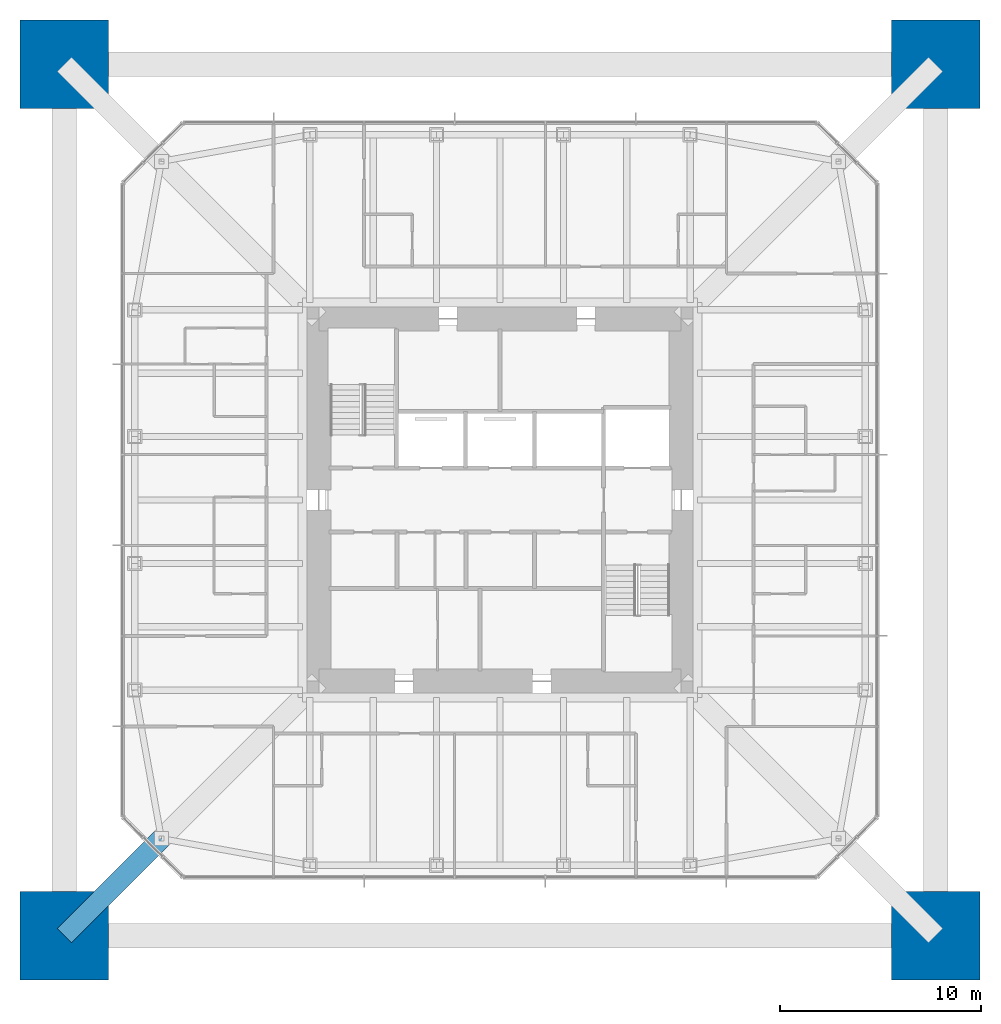
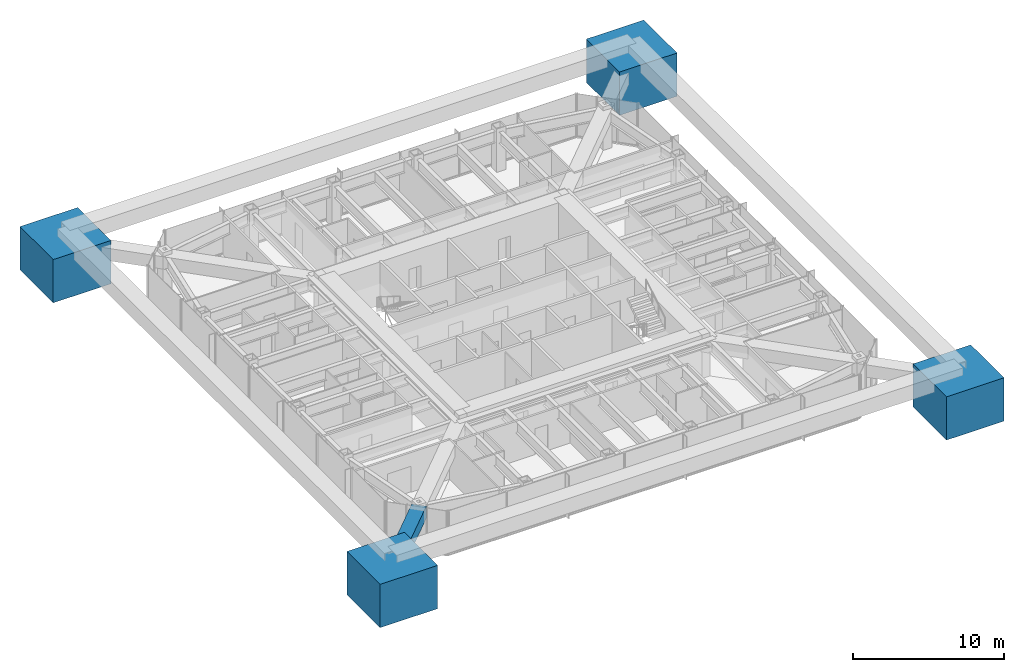
# One storey, part 1 of 15: 4 columns, 1 member.
"""IFC4 building model written with IfcOpenShell, lengths in metres."""

from ifc_helpers import new_model, si_unit, direction, frame, origin, origin_2d, place, context, subcontext, project, spatial, rectangle, hollow_rectangle, i_section, extrude, material, material_profile, profile_set, type_object, element, save


model = new_model("IFC4")

# Units and contexts
model_context = context("Model", 3, precision=1e-05, world=origin(), true_north=direction((0.0, 1.0)))
body_context = subcontext(model_context, "Body", "Model", "MODEL_VIEW")
ifc_project = project(units=[si_unit("LENGTHUNIT", "METRE"), si_unit("AREAUNIT", "SQUARE_METRE"), si_unit("VOLUMEUNIT", "CUBIC_METRE"), si_unit("PLANEANGLEUNIT", "RADIAN"), si_unit("MASSUNIT", "GRAM", prefix="KILO")], contexts=[model_context])

# Site, building, storey
site_placement = place(None, origin())
site = spatial("IfcSite", under=ifc_project, at=site_placement, CompositionType="ELEMENT")
building_placement = place(site_placement, origin())
building = spatial("IfcBuilding", under=site, at=building_placement, Name="Iwan Alto Co-Living Towers", CompositionType="ELEMENT")
storey_placement = place(building_placement, frame((0.0, 0.0, 205.5)))
storey = spatial("IfcBuildingStorey", under=building, at=storey_placement, Name="L56", CompositionType="ELEMENT", Elevation=205.5)

# Columns
ifc_material_1 = material(Name="Concrete f'c 70 MPa", Category="concrete")
ifc_material_profile_1 = material_profile(ifc_material_1, rectangle(XDim=4.39990234375, YDim=4.39990234375, at=origin_2d()), Name="RC 4400X4400")
ifc_profile_set_1 = profile_set([ifc_material_profile_1], Name="Concrete f'c 70 MPa")
column_type = type_object("IfcColumnType", Name="T1 MEGA COLUMN RC 4400X4400", PredefinedType="COLUMN", material=ifc_profile_set_1)
for number, where, z_axis, x_axis, name in (
    (1, (-21.64990234375, -21.64990234375, 0.0), (0.0, 0.0, 1.0), (1.0, 0.0, 0.0), "T1 mega column SW L56"),
    (2, (21.64990234375, -21.64990234375, 0.0), (0.0, 0.0, 1.0), (1.0, 0.0, 0.0), "T1 mega column SE L56"),
    (3, (21.64990234375, 21.64990234375, 0.0), (0.0, 0.0, 1.0), (1.0, 0.0, 0.0), "T1 mega column NE L56"),
    (4, (-21.64990234375, 21.64990234375, 0.0), (0.0, 0.0, 1.0), (1.0, 0.0, 0.0), "T1 mega column NW L56"),
):
    element("IfcColumn", number, at=place(storey_placement, frame(where, z_axis=z_axis, x_axis=x_axis)), inside=storey, type_object=column_type, Name=name, PredefinedType="COLUMN", context=body_context, shape_type="SweptSolid", body=[
        extrude(rectangle(XDim=4.39990234375, YDim=4.39990234375, at=origin_2d()), origin(), (0.0, 0.0, 1.0), 3.5),
        extrude(i_section(OverallWidth=0.4775390625, OverallDepth=0.599365234375, WebThickness=0.10009765625, FlangeThickness=0.139892578125, at=origin_2d()), origin(), (0.0, 0.0, 1.0), 3.5),
    ])

# Member
ifc_material_2 = material(Name="Steel ASTM A572 Gr 50", Category="steel")
ifc_material_profile_2 = material_profile(ifc_material_2, hollow_rectangle(XDim=1.0, YDim=1.0, WallThickness=0.070068359375, at=origin_2d()), Name="BOX 1000X1000X70")
ifc_profile_set_2 = profile_set([ifc_material_profile_2], Name="Steel ASTM A572 Gr 50")
member_type = type_object("IfcMemberType", Name="T1 OUTRIGGER CHORD BOX 1000X1000X70", PredefinedType="CHORD", material=ifc_profile_set_2)
member_placement = place(storey_placement, frame((-16.82568359375, -16.82568359375, 2.699951171875), z_axis=(-0.707106781187, -0.707106781187, 0.0), x_axis=(0.707106781187, -0.707106781187, 0.0)))
element("IfcMember", 5, at=member_placement, inside=storey, type_object=member_type, Name="T1 outrigger SW L57 bottom chord 2", PredefinedType="CHORD", context=body_context, shape_type="SweptSolid", body=[
    extrude(hollow_rectangle(XDim=1.0, YDim=1.0, WallThickness=0.070068359375, at=origin_2d()), origin(), (0.0, 0.0, 1.0), 6.822509765625),
])

save(model, "model.ifc")
